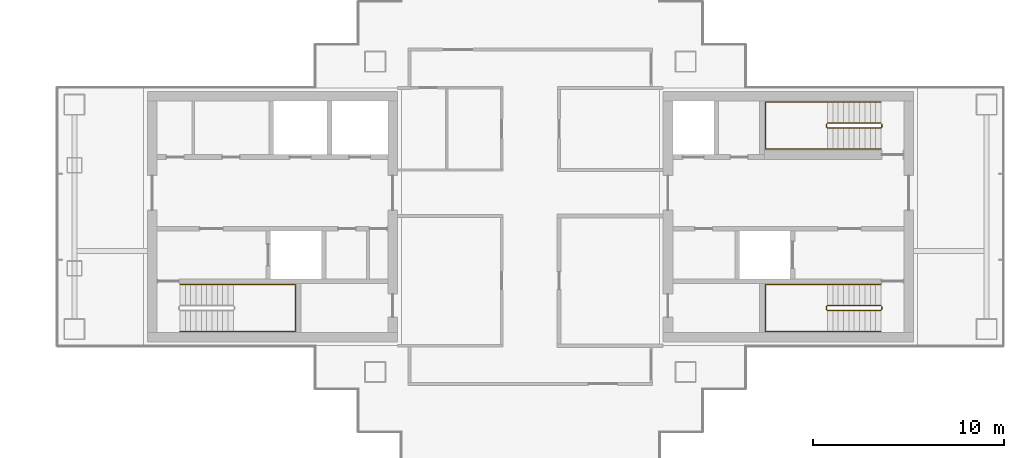
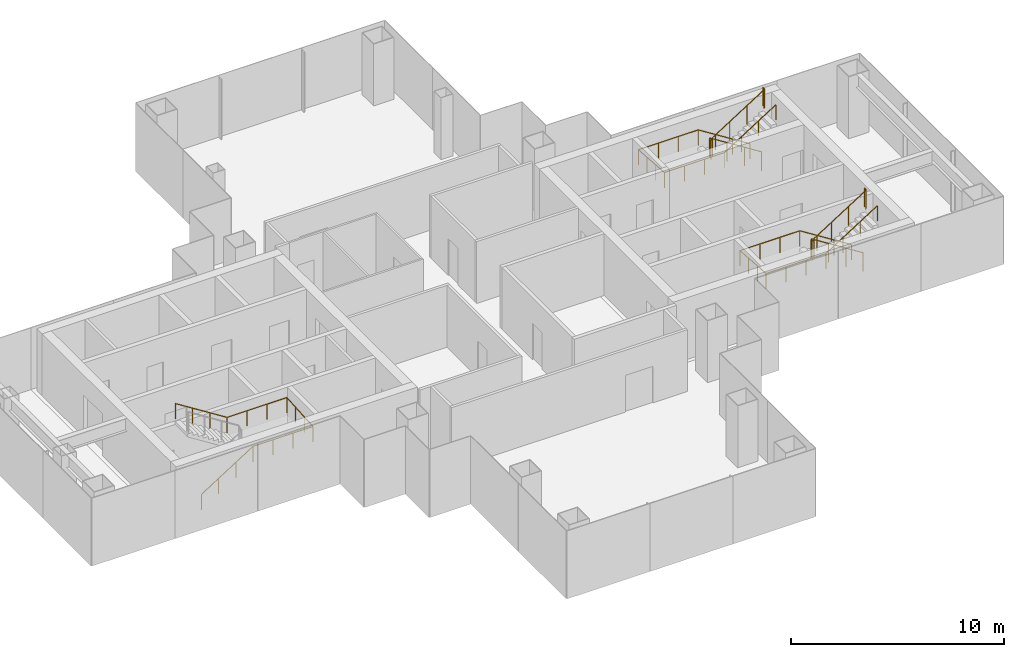
# One storey, part 15 of 16: 5 railings.
"""IFC4 building model written with IfcOpenShell, lengths in metres."""

from ifc_helpers import new_model, si_unit, direction, frame, origin, origin_2d, place, context, subcontext, project, spatial, circle, extrude, material, type_object, element, save


model = new_model("IFC4")

# Units and contexts
model_context = context("Model", 3, precision=1e-05, world=origin(), true_north=direction((0.0, 1.0)))
body_context = subcontext(model_context, "Body", "Model", "MODEL_VIEW")
ifc_project = project(units=[si_unit("LENGTHUNIT", "METRE"), si_unit("AREAUNIT", "SQUARE_METRE"), si_unit("VOLUMEUNIT", "CUBIC_METRE"), si_unit("PLANEANGLEUNIT", "RADIAN"), si_unit("MASSUNIT", "GRAM", prefix="KILO")], contexts=[model_context])

# Site, building, storey
site_placement = place(None, origin())
site = spatial("IfcSite", under=ifc_project, at=site_placement, CompositionType="ELEMENT")
building_placement = place(site_placement, origin())
building = spatial("IfcBuilding", under=site, at=building_placement, Name="Shamsa Quay Exchange Towers", CompositionType="ELEMENT")
storey_placement = place(building_placement, frame((0.0, 0.0, 142.800048828125)))
storey = spatial("IfcBuildingStorey", under=building, at=storey_placement, Name="L33", CompositionType="ELEMENT", Elevation=142.800048828125)

# Railings
ifc_material = material(Name="Stainless steel", Category="steel")
railing_type_1 = type_object("IfcRailingType", Name="STAIR GUARD 1100", PredefinedType="GUARDRAIL", material=ifc_material)
railing_1_placement = place(storey_placement, frame((52.10009765625, -4.64990234375, 0.17724609375)))
element("IfcRailing", 1, at=railing_1_placement, inside=storey, type_object=railing_type_1, Name="L33 ST5 stair guard 1", PredefinedType="GUARDRAIL", context=body_context, shape_type="SweptSolid", body=[
    extrude(circle(Radius=0.02392578125, at=origin_2d()), frame((0.0, 0.0, 1.076171875), z_axis=(-0.844908973607, 0.0, 0.534910110503), x_axis=(0.0, -1.0, 0.0)), (0.0, 0.0, 1.0), 3.31396484375),
    extrude(circle(Radius=0.02392578125, at=origin_2d()), frame((-2.800048828125, 0.0, 2.8486328125), z_axis=(-0.707106781187, -0.707106781187, 0.0), x_axis=(0.707106781187, -0.707106781187, 0.0)), (0.0, 0.0, 1.0), 0.07080078125),
    extrude(circle(Radius=0.02392578125, at=origin_2d()), frame((-2.85009765625, -0.050048828125, 2.8486328125), z_axis=(0.0, -1.0, 0.0), x_axis=(1.0, 0.0, 0.0)), (0.0, 0.0, 1.0), 0.150146484375),
    extrude(circle(Radius=0.02392578125, at=origin_2d()), frame((-2.85009765625, -0.2001953125, 2.8486328125), z_axis=(0.262321481514, -0.261041864531, 0.929001929653), x_axis=(0.705375805398, 0.708833529934, 0.0)), (0.0, 0.0, 1.0), 0.190673828125),
    extrude(circle(Radius=0.02392578125, at=origin_2d()), frame((-2.800048828125, -0.25, 3.02587890625), z_axis=(0.844908973607, 0.0, 0.534910110503), x_axis=(0.0, 1.0, 0.0)), (0.0, 0.0, 1.0), 3.31396484375),
    extrude(circle(Radius=0.02392578125, at=origin_2d()), frame((0.0, -0.25, 4.798828125), z_axis=(0.241699205484, 0.970351222016, 0.0), x_axis=(-0.970351222016, 0.241699205484, 0.0)), (0.0, 0.0, 1.0), 0.2060546875),
    extrude(circle(Radius=0.02392578125, at=origin_2d()), frame((0.0498046875, -0.050048828125, 4.798828125), z_axis=(0.0, -1.0, 0.0), x_axis=(1.0, 0.0, 0.0)), (0.0, 0.0, 1.0), 0.150146484375),
    extrude(circle(Radius=0.02099609375, at=origin_2d()), origin(), (0.0, 0.0, 1.0), 1.052001953125),
    extrude(circle(Radius=0.02099609375, at=origin_2d()), frame((-0.933349609375, 0.0, 0.5908203125)), (0.0, 0.0, 1.0), 1.052001953125),
    extrude(circle(Radius=0.02099609375, at=origin_2d()), frame((-1.86669921875, 0.0, 1.181884765625)), (0.0, 0.0, 1.0), 1.052001953125),
    extrude(circle(Radius=0.02099609375, at=origin_2d()), frame((-2.800048828125, 0.0, 1.772705078125)), (0.0, 0.0, 1.0), 1.052001953125),
    extrude(circle(Radius=0.02099609375, at=origin_2d()), frame((-2.85009765625, -0.050048828125, 1.772705078125)), (0.0, 0.0, 1.0), 1.052001953125),
    extrude(circle(Radius=0.02099609375, at=origin_2d()), frame((-2.85009765625, -0.2001953125, 1.772705078125)), (0.0, 0.0, 1.0), 1.052001953125),
    extrude(circle(Radius=0.02099609375, at=origin_2d()), frame((-2.800048828125, -0.25, 1.949951171875)), (0.0, 0.0, 1.0), 1.052001953125),
    extrude(circle(Radius=0.02099609375, at=origin_2d()), frame((-1.86669921875, -0.25, 2.540771484375)), (0.0, 0.0, 1.0), 1.052001953125),
    extrude(circle(Radius=0.02099609375, at=origin_2d()), frame((-0.933349609375, -0.25, 3.1318359375)), (0.0, 0.0, 1.0), 1.052001953125),
    extrude(circle(Radius=0.02099609375, at=origin_2d()), frame((0.0, -0.25, 3.72265625)), (0.0, 0.0, 1.0), 1.052001953125),
    extrude(circle(Radius=0.02099609375, at=origin_2d()), frame((0.0498046875, -0.050048828125, 3.72265625)), (0.0, 0.0, 1.0), 1.052001953125),
    extrude(circle(Radius=0.02099609375, at=origin_2d()), frame((0.0498046875, -0.2001953125, 3.72265625)), (0.0, 0.0, 1.0), 1.052001953125),
])
railing_2_placement = place(storey_placement, frame((52.10009765625, 4.89990234375, 0.17724609375)))
element("IfcRailing", 2, at=railing_2_placement, inside=storey, type_object=railing_type_1, Name="L33 ST6 stair guard 1", PredefinedType="GUARDRAIL", context=body_context, shape_type="SweptSolid", body=[
    extrude(circle(Radius=0.02392578125, at=origin_2d()), frame((0.0, 0.0, 1.076171875), z_axis=(-0.844908973607, 0.0, 0.534910110503), x_axis=(0.0, -1.0, 0.0)), (0.0, 0.0, 1.0), 3.31396484375),
    extrude(circle(Radius=0.02392578125, at=origin_2d()), frame((-2.800048828125, 0.0, 2.8486328125), z_axis=(-0.708833529934, -0.705375805398, 0.0), x_axis=(0.705375805398, -0.708833529934, 0.0)), (0.0, 0.0, 1.0), 0.070556640625),
    extrude(circle(Radius=0.02392578125, at=origin_2d()), frame((-2.85009765625, -0.0498046875, 2.8486328125), z_axis=(0.0, -1.0, 0.0), x_axis=(1.0, 0.0, 0.0)), (0.0, 0.0, 1.0), 0.150146484375),
    extrude(circle(Radius=0.02392578125, at=origin_2d()), frame((-2.85009765625, -0.199951171875, 2.8486328125), z_axis=(0.262233686654, -0.262233686654, 0.928691007369), x_axis=(0.707106781187, 0.707106781187, 0.0)), (0.0, 0.0, 1.0), 0.19091796875),
    extrude(circle(Radius=0.02392578125, at=origin_2d()), frame((-2.800048828125, -0.25, 3.02587890625), z_axis=(0.844908973607, 0.0, 0.534910110503), x_axis=(0.0, 1.0, 0.0)), (0.0, 0.0, 1.0), 3.31396484375),
    extrude(circle(Radius=0.02392578125, at=origin_2d()), frame((0.0, -0.25, 4.798828125), z_axis=(0.24142163986, 0.970420317083, 0.0), x_axis=(-0.970420317083, 0.24142163986, 0.0)), (0.0, 0.0, 1.0), 0.206298828125),
    extrude(circle(Radius=0.02392578125, at=origin_2d()), frame((0.0498046875, -0.0498046875, 4.798828125), z_axis=(0.0, -1.0, 0.0), x_axis=(1.0, 0.0, 0.0)), (0.0, 0.0, 1.0), 0.150146484375),
    extrude(circle(Radius=0.02099609375, at=origin_2d()), origin(), (0.0, 0.0, 1.0), 1.052001953125),
    extrude(circle(Radius=0.02099609375, at=origin_2d()), frame((-0.933349609375, 0.0, 0.5908203125)), (0.0, 0.0, 1.0), 1.052001953125),
    extrude(circle(Radius=0.02099609375, at=origin_2d()), frame((-1.86669921875, 0.0, 1.181884765625)), (0.0, 0.0, 1.0), 1.052001953125),
    extrude(circle(Radius=0.02099609375, at=origin_2d()), frame((-2.800048828125, 0.0, 1.772705078125)), (0.0, 0.0, 1.0), 1.052001953125),
    extrude(circle(Radius=0.02099609375, at=origin_2d()), frame((-2.85009765625, -0.0498046875, 1.772705078125)), (0.0, 0.0, 1.0), 1.052001953125),
    extrude(circle(Radius=0.02099609375, at=origin_2d()), frame((-2.85009765625, -0.199951171875, 1.772705078125)), (0.0, 0.0, 1.0), 1.052001953125),
    extrude(circle(Radius=0.02099609375, at=origin_2d()), frame((-2.800048828125, -0.25, 1.949951171875)), (0.0, 0.0, 1.0), 1.052001953125),
    extrude(circle(Radius=0.02099609375, at=origin_2d()), frame((-1.86669921875, -0.25, 2.540771484375)), (0.0, 0.0, 1.0), 1.052001953125),
    extrude(circle(Radius=0.02099609375, at=origin_2d()), frame((-0.933349609375, -0.25, 3.1318359375)), (0.0, 0.0, 1.0), 1.052001953125),
    extrude(circle(Radius=0.02099609375, at=origin_2d()), frame((0.0, -0.25, 3.72265625)), (0.0, 0.0, 1.0), 1.052001953125),
    extrude(circle(Radius=0.02099609375, at=origin_2d()), frame((0.0498046875, -0.0498046875, 3.72265625)), (0.0, 0.0, 1.0), 1.052001953125),
    extrude(circle(Radius=0.02099609375, at=origin_2d()), frame((0.0498046875, -0.199951171875, 3.72265625)), (0.0, 0.0, 1.0), 1.052001953125),
])
railing_type_2 = type_object("IfcRailingType", Name="STAIR HANDRAIL 900", PredefinedType="HANDRAIL", material=ifc_material)
railing_3_placement = place(storey_placement, frame((15.39990234375, -6.0, 0.17724609375)))
element("IfcRailing", 3, at=railing_3_placement, inside=storey, type_object=railing_type_2, Name="L33 ST4 stair handrail 1", PredefinedType="HANDRAIL", context=body_context, shape_type="SweptSolid", body=[
    extrude(circle(Radius=0.02392578125, at=origin_2d()), frame((0.0, 0.0, 0.8759765625), z_axis=(0.844908973607, 0.0, 0.534910110503), x_axis=(0.0, 1.0, 0.0)), (0.0, 0.0, 1.0), 3.31396484375),
    extrude(circle(Radius=0.02392578125, at=origin_2d()), frame((2.800048828125, 0.0, 2.6484375), z_axis=(1.0, 0.0, 0.0), x_axis=(0.0, 1.0, 0.0)), (0.0, 0.0, 1.0), 3.25),
    extrude(circle(Radius=0.02392578125, at=origin_2d()), frame((6.050048828125, 0.0, 2.6484375), z_axis=(0.0, 0.997393199914, 0.07215819264), x_axis=(-1.0, 0.0, 0.0)), (0.0, 0.0, 1.0), 2.456298828125),
    extrude(circle(Radius=0.02392578125, at=origin_2d()), frame((6.050048828125, 2.449951171875, 2.82568359375), z_axis=(-1.0, 0.0, 0.0), x_axis=(0.0, -1.0, 0.0)), (0.0, 0.0, 1.0), 3.25),
    extrude(circle(Radius=0.02392578125, at=origin_2d()), frame((2.800048828125, 2.449951171875, 2.82568359375), z_axis=(-0.844908973607, 0.0, 0.534910110503), x_axis=(0.0, -1.0, 0.0)), (0.0, 0.0, 1.0), 3.31396484375),
    extrude(circle(Radius=0.02099609375, at=origin_2d()), origin(), (0.0, 0.0, 1.0), 0.851806640625),
    extrude(circle(Radius=0.02099609375, at=origin_2d()), frame((0.933349609375, 0.0, 0.5908203125)), (0.0, 0.0, 1.0), 0.851806640625),
    extrude(circle(Radius=0.02099609375, at=origin_2d()), frame((1.86669921875, 0.0, 1.181884765625)), (0.0, 0.0, 1.0), 0.851806640625),
    extrude(circle(Radius=0.02099609375, at=origin_2d()), frame((2.800048828125, 0.0, 1.772705078125)), (0.0, 0.0, 1.0), 0.851806640625),
    extrude(circle(Radius=0.02099609375, at=origin_2d()), frame((3.88330078125, 0.0, 1.772705078125)), (0.0, 0.0, 1.0), 0.851806640625),
    extrude(circle(Radius=0.02099609375, at=origin_2d()), frame((4.966796875, 0.0, 1.772705078125)), (0.0, 0.0, 1.0), 0.851806640625),
    extrude(circle(Radius=0.02099609375, at=origin_2d()), frame((6.050048828125, 0.0, 1.772705078125)), (0.0, 0.0, 1.0), 0.851806640625),
    extrude(circle(Radius=0.02099609375, at=origin_2d()), frame((6.050048828125, 0.816650390625, 1.831787109375)), (0.0, 0.0, 1.0), 0.851806640625),
    extrude(circle(Radius=0.02099609375, at=origin_2d()), frame((6.050048828125, 1.63330078125, 1.890869140625)), (0.0, 0.0, 1.0), 0.851806640625),
    extrude(circle(Radius=0.02099609375, at=origin_2d()), frame((6.050048828125, 2.449951171875, 1.949951171875)), (0.0, 0.0, 1.0), 0.851806640625),
    extrude(circle(Radius=0.02099609375, at=origin_2d()), frame((4.966796875, 2.449951171875, 1.949951171875)), (0.0, 0.0, 1.0), 0.851806640625),
    extrude(circle(Radius=0.02099609375, at=origin_2d()), frame((3.88330078125, 2.449951171875, 1.949951171875)), (0.0, 0.0, 1.0), 0.851806640625),
    extrude(circle(Radius=0.02099609375, at=origin_2d()), frame((2.800048828125, 2.449951171875, 1.949951171875)), (0.0, 0.0, 1.0), 0.851806640625),
    extrude(circle(Radius=0.02099609375, at=origin_2d()), frame((1.86669921875, 2.449951171875, 2.540771484375)), (0.0, 0.0, 1.0), 0.851806640625),
    extrude(circle(Radius=0.02099609375, at=origin_2d()), frame((0.933349609375, 2.449951171875, 3.1318359375)), (0.0, 0.0, 1.0), 0.851806640625),
    extrude(circle(Radius=0.02099609375, at=origin_2d()), frame((0.0, 2.449951171875, 3.72265625)), (0.0, 0.0, 1.0), 0.851806640625),
])
railing_4_placement = place(storey_placement, frame((52.10009765625, -3.550048828125, 0.17724609375)))
element("IfcRailing", 4, at=railing_4_placement, inside=storey, type_object=railing_type_2, Name="L33 ST5 stair handrail 1", PredefinedType="HANDRAIL", context=body_context, shape_type="SweptSolid", body=[
    extrude(circle(Radius=0.02392578125, at=origin_2d()), frame((0.0, 0.0, 0.8759765625), z_axis=(-0.844908973607, 0.0, 0.534910110503), x_axis=(0.0, -1.0, 0.0)), (0.0, 0.0, 1.0), 3.31396484375),
    extrude(circle(Radius=0.02392578125, at=origin_2d()), frame((-2.800048828125, 0.0, 2.6484375), z_axis=(-1.0, 0.0, 0.0), x_axis=(0.0, -1.0, 0.0)), (0.0, 0.0, 1.0), 3.25),
    extrude(circle(Radius=0.02392578125, at=origin_2d()), frame((-6.050048828125, 0.0, 2.6484375), z_axis=(0.0, -0.997393199914, 0.07215819264), x_axis=(1.0, 0.0, 0.0)), (0.0, 0.0, 1.0), 2.456298828125),
    extrude(circle(Radius=0.02392578125, at=origin_2d()), frame((-6.050048828125, -2.449951171875, 2.82568359375), z_axis=(1.0, 0.0, 0.0), x_axis=(0.0, 1.0, 0.0)), (0.0, 0.0, 1.0), 3.25),
    extrude(circle(Radius=0.02392578125, at=origin_2d()), frame((-2.800048828125, -2.449951171875, 2.82568359375), z_axis=(0.844908973607, 0.0, 0.534910110503), x_axis=(0.0, 1.0, 0.0)), (0.0, 0.0, 1.0), 3.31396484375),
    extrude(circle(Radius=0.02099609375, at=origin_2d()), origin(), (0.0, 0.0, 1.0), 0.851806640625),
    extrude(circle(Radius=0.02099609375, at=origin_2d()), frame((-0.933349609375, 0.0, 0.5908203125)), (0.0, 0.0, 1.0), 0.851806640625),
    extrude(circle(Radius=0.02099609375, at=origin_2d()), frame((-1.86669921875, 0.0, 1.181884765625)), (0.0, 0.0, 1.0), 0.851806640625),
    extrude(circle(Radius=0.02099609375, at=origin_2d()), frame((-2.800048828125, 0.0, 1.772705078125)), (0.0, 0.0, 1.0), 0.851806640625),
    extrude(circle(Radius=0.02099609375, at=origin_2d()), frame((-3.88330078125, 0.0, 1.772705078125)), (0.0, 0.0, 1.0), 0.851806640625),
    extrude(circle(Radius=0.02099609375, at=origin_2d()), frame((-4.966796875, 0.0, 1.772705078125)), (0.0, 0.0, 1.0), 0.851806640625),
    extrude(circle(Radius=0.02099609375, at=origin_2d()), frame((-6.050048828125, 0.0, 1.772705078125)), (0.0, 0.0, 1.0), 0.851806640625),
    extrude(circle(Radius=0.02099609375, at=origin_2d()), frame((-6.050048828125, -0.816650390625, 1.831787109375)), (0.0, 0.0, 1.0), 0.851806640625),
    extrude(circle(Radius=0.02099609375, at=origin_2d()), frame((-6.050048828125, -1.63330078125, 1.890869140625)), (0.0, 0.0, 1.0), 0.851806640625),
    extrude(circle(Radius=0.02099609375, at=origin_2d()), frame((-6.050048828125, -2.449951171875, 1.949951171875)), (0.0, 0.0, 1.0), 0.851806640625),
    extrude(circle(Radius=0.02099609375, at=origin_2d()), frame((-4.966796875, -2.449951171875, 1.949951171875)), (0.0, 0.0, 1.0), 0.851806640625),
    extrude(circle(Radius=0.02099609375, at=origin_2d()), frame((-3.88330078125, -2.449951171875, 1.949951171875)), (0.0, 0.0, 1.0), 0.851806640625),
    extrude(circle(Radius=0.02099609375, at=origin_2d()), frame((-2.800048828125, -2.449951171875, 1.949951171875)), (0.0, 0.0, 1.0), 0.851806640625),
    extrude(circle(Radius=0.02099609375, at=origin_2d()), frame((-1.86669921875, -2.449951171875, 2.540771484375)), (0.0, 0.0, 1.0), 0.851806640625),
    extrude(circle(Radius=0.02099609375, at=origin_2d()), frame((-0.933349609375, -2.449951171875, 3.1318359375)), (0.0, 0.0, 1.0), 0.851806640625),
    extrude(circle(Radius=0.02099609375, at=origin_2d()), frame((0.0, -2.449951171875, 3.72265625)), (0.0, 0.0, 1.0), 0.851806640625),
])
railing_5_placement = place(storey_placement, frame((52.10009765625, 6.0, 0.17724609375)))
element("IfcRailing", 5, at=railing_5_placement, inside=storey, type_object=railing_type_2, Name="L33 ST6 stair handrail 1", PredefinedType="HANDRAIL", context=body_context, shape_type="SweptSolid", body=[
    extrude(circle(Radius=0.02392578125, at=origin_2d()), frame((0.0, 0.0, 0.8759765625), z_axis=(-0.844908973607, 0.0, 0.534910110503), x_axis=(0.0, -1.0, 0.0)), (0.0, 0.0, 1.0), 3.31396484375),
    extrude(circle(Radius=0.02392578125, at=origin_2d()), frame((-2.800048828125, 0.0, 2.6484375), z_axis=(-1.0, 0.0, 0.0), x_axis=(0.0, -1.0, 0.0)), (0.0, 0.0, 1.0), 3.25),
    extrude(circle(Radius=0.02392578125, at=origin_2d()), frame((-6.050048828125, 0.0, 2.6484375), z_axis=(0.0, -0.997393199914, 0.07215819264), x_axis=(1.0, 0.0, 0.0)), (0.0, 0.0, 1.0), 2.456298828125),
    extrude(circle(Radius=0.02392578125, at=origin_2d()), frame((-6.050048828125, -2.449951171875, 2.82568359375), z_axis=(1.0, 0.0, 0.0), x_axis=(0.0, 1.0, 0.0)), (0.0, 0.0, 1.0), 3.25),
    extrude(circle(Radius=0.02392578125, at=origin_2d()), frame((-2.800048828125, -2.449951171875, 2.82568359375), z_axis=(0.844908973607, 0.0, 0.534910110503), x_axis=(0.0, 1.0, 0.0)), (0.0, 0.0, 1.0), 3.31396484375),
    extrude(circle(Radius=0.02099609375, at=origin_2d()), origin(), (0.0, 0.0, 1.0), 0.851806640625),
    extrude(circle(Radius=0.02099609375, at=origin_2d()), frame((-0.933349609375, 0.0, 0.5908203125)), (0.0, 0.0, 1.0), 0.851806640625),
    extrude(circle(Radius=0.02099609375, at=origin_2d()), frame((-1.86669921875, 0.0, 1.181884765625)), (0.0, 0.0, 1.0), 0.851806640625),
    extrude(circle(Radius=0.02099609375, at=origin_2d()), frame((-2.800048828125, 0.0, 1.772705078125)), (0.0, 0.0, 1.0), 0.851806640625),
    extrude(circle(Radius=0.02099609375, at=origin_2d()), frame((-3.88330078125, 0.0, 1.772705078125)), (0.0, 0.0, 1.0), 0.851806640625),
    extrude(circle(Radius=0.02099609375, at=origin_2d()), frame((-4.966796875, 0.0, 1.772705078125)), (0.0, 0.0, 1.0), 0.851806640625),
    extrude(circle(Radius=0.02099609375, at=origin_2d()), frame((-6.050048828125, 0.0, 1.772705078125)), (0.0, 0.0, 1.0), 0.851806640625),
    extrude(circle(Radius=0.02099609375, at=origin_2d()), frame((-6.050048828125, -0.816650390625, 1.831787109375)), (0.0, 0.0, 1.0), 0.851806640625),
    extrude(circle(Radius=0.02099609375, at=origin_2d()), frame((-6.050048828125, -1.63330078125, 1.890869140625)), (0.0, 0.0, 1.0), 0.851806640625),
    extrude(circle(Radius=0.02099609375, at=origin_2d()), frame((-6.050048828125, -2.449951171875, 1.949951171875)), (0.0, 0.0, 1.0), 0.851806640625),
    extrude(circle(Radius=0.02099609375, at=origin_2d()), frame((-4.966796875, -2.449951171875, 1.949951171875)), (0.0, 0.0, 1.0), 0.851806640625),
    extrude(circle(Radius=0.02099609375, at=origin_2d()), frame((-3.88330078125, -2.449951171875, 1.949951171875)), (0.0, 0.0, 1.0), 0.851806640625),
    extrude(circle(Radius=0.02099609375, at=origin_2d()), frame((-2.800048828125, -2.449951171875, 1.949951171875)), (0.0, 0.0, 1.0), 0.851806640625),
    extrude(circle(Radius=0.02099609375, at=origin_2d()), frame((-1.86669921875, -2.449951171875, 2.540771484375)), (0.0, 0.0, 1.0), 0.851806640625),
    extrude(circle(Radius=0.02099609375, at=origin_2d()), frame((-0.933349609375, -2.449951171875, 3.1318359375)), (0.0, 0.0, 1.0), 0.851806640625),
    extrude(circle(Radius=0.02099609375, at=origin_2d()), frame((0.0, -2.449951171875, 3.72265625)), (0.0, 0.0, 1.0), 0.851806640625),
])

save(model, "model.ifc")
